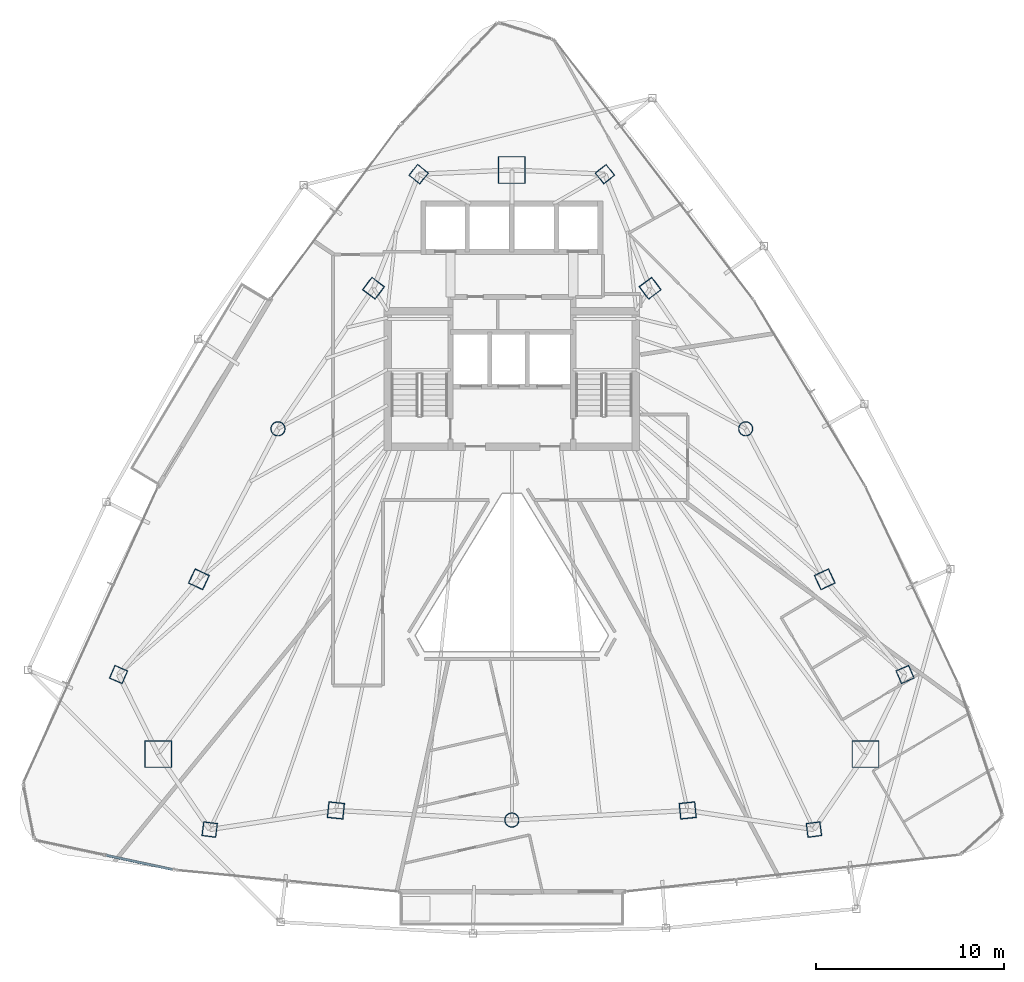
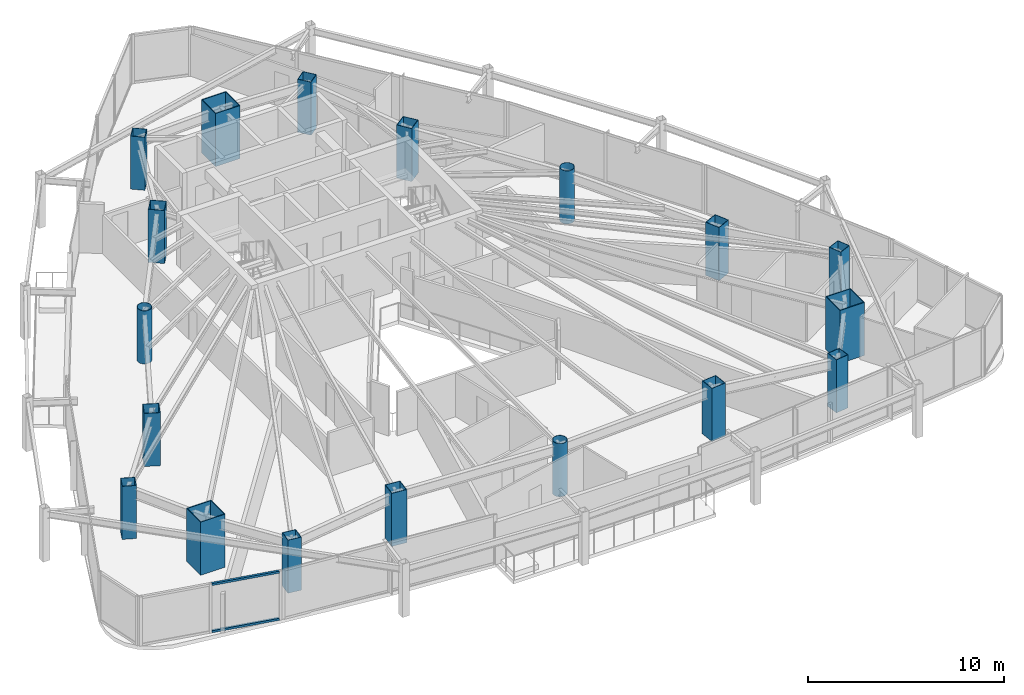
# One storey, part 1 of 33: 18 columns, 2 members, 1 element without a shape of its own.
"""IFC4 building model written with IfcOpenShell, lengths in metres."""

from ifc_helpers import new_model, si_unit, direction, frame, origin, origin_2d, place, context, subcontext, project, spatial, hollow_rectangle, hollow_circle, extrude, material, layer, layer_set, material_profile, profile_set, type_object, element, aggregate, save


model = new_model("IFC4")

# Units and contexts
model_context = context("Model", 3, precision=1e-05, world=origin(), true_north=direction((0.0, 1.0)))
body_context = subcontext(model_context, "Body", "Model", "MODEL_VIEW")
ifc_project = project(units=[si_unit("LENGTHUNIT", "METRE"), si_unit("AREAUNIT", "SQUARE_METRE"), si_unit("VOLUMEUNIT", "CUBIC_METRE"), si_unit("PLANEANGLEUNIT", "RADIAN"), si_unit("MASSUNIT", "GRAM", prefix="KILO")], contexts=[model_context])

# Site, building, storey
site_placement = place(None, origin())
site = spatial("IfcSite", under=ifc_project, at=site_placement, CompositionType="ELEMENT")
building_placement = place(site_placement, origin())
building = spatial("IfcBuilding", under=site, at=building_placement, Name="Orvanel Arch Residences", CompositionType="ELEMENT")
storey_placement = place(building_placement, frame((0.0, 0.0, 119.89990234375)))
storey = spatial("IfcBuildingStorey", under=building, at=storey_placement, Name="L33", CompositionType="ELEMENT", Elevation=119.89990234375)

# Columns
ifc_material_1 = material(Name="Structural steel AS/NZS 1163 C450L0 (Grade 450)", Category="steel")
ifc_material_profile_1 = material_profile(ifc_material_1, hollow_circle(Radius=0.381103515625, WallThickness=0.02197265625, at=origin_2d()), Name="CHS762x22")
ifc_profile_set_1 = profile_set([ifc_material_profile_1], Name="Structural steel AS/NZS 1163 C450L0 (Grade 450)")
column_type_1 = type_object("IfcColumnType", Name="CC-762", PredefinedType="COLUMN", material=ifc_profile_set_1)
for number, where, z_axis, x_axis, name in (
    (1, (20.569091796875, 27.64111328125, 0.0), (0.0, 0.0, 1.0), (1.0, 0.0, 0.0), "L33 High-Rise Tube Column 02"),
    (2, (33.0, 6.843994140625, 0.0), (0.0, 0.0, 1.0), (1.0, 0.0, 0.0), "L33 High-Rise Tube Column 05"),
    (3, (45.430908203125, 27.64111328125, 0.0), (0.0, 0.0, 1.0), (1.0, 0.0, 0.0), "L33 High-Rise Tube Column 08"),
):
    element("IfcColumn", number, at=place(storey_placement, frame(where, z_axis=z_axis, x_axis=x_axis)), inside=storey, type_object=column_type_1, Name=name, PredefinedType="COLUMN", context=body_context, shape_type="SweptSolid", body=[
        extrude(hollow_circle(Radius=0.381103515625, WallThickness=0.02197265625, at=origin_2d()), origin(), (0.0, 0.0, 1.0), 3.300048828125),
    ])
ifc_material_2 = material(Name="Structural steel AS/NZS 3678 Grade 450", Category="steel")
ifc_material_profile_2 = material_profile(ifc_material_2, hollow_rectangle(XDim=1.449951171875, YDim=1.449951171875, WallThickness=0.044921875, at=origin_2d()), Name="BOX1450x1450x45")
ifc_profile_set_2 = profile_set([ifc_material_profile_2], Name="Structural steel AS/NZS 3678 Grade 450")
column_type_2 = type_object("IfcColumnType", Name="MC-1450", PredefinedType="COLUMN", material=ifc_profile_set_2)
for number, where, z_axis, x_axis, name in (
    (4, (33.0, 41.39794921875, 0.0), (0.0, 0.0, 1.0), (1.0, 0.0, 0.0), "L33 Corner Mega-Column 1"),
    (5, (14.198974609375, 10.35107421875, 0.0), (0.0, 0.0, 1.0), (1.0, 0.0, 0.0), "L33 Corner Mega-Column 2"),
    (6, (51.801025390625, 10.35107421875, 0.0), (0.0, 0.0, 1.0), (1.0, 0.0, 0.0), "L33 Corner Mega-Column 3"),
):
    element("IfcColumn", number, at=place(storey_placement, frame(where, z_axis=z_axis, x_axis=x_axis)), inside=storey, type_object=column_type_2, Name=name, PredefinedType="COLUMN", context=body_context, shape_type="SweptSolid", body=[
        extrude(hollow_rectangle(XDim=1.449951171875, YDim=1.449951171875, WallThickness=0.044921875, at=origin_2d()), origin(), (0.0, 0.0, 1.0), 3.300048828125),
    ])
ifc_material_3 = material(Name="Structural steel AS/NZS 3678 Grade 350", Category="steel")
ifc_material_profile_3 = material_profile(ifc_material_3, hollow_rectangle(XDim=0.75, YDim=0.75, WallThickness=0.02490234375, at=origin_2d()), Name="BOX750x750x25")
ifc_profile_set_3 = profile_set([ifc_material_profile_3], Name="Structural steel AS/NZS 3678 Grade 350")
column_type_3 = type_object("IfcColumnType", Name="TC-750", PredefinedType="COLUMN", material=ifc_profile_set_3)
for number, where, z_axis, x_axis, name in (
    (7, (28.050048828125, 41.177978515625, 0.0), (0.0, 0.0, 1.0), (0.623879596709, 0.781520472419, 0.0), "L33 Mid-Rise Buttress Tube Column 01"),
    (8, (12.094970703125, 14.580078125, 0.0), (0.0, 0.0, 1.0), (0.397147890635, 0.917754625684, 0.0), "L33 Mid-Rise Buttress Tube Column 02"),
    (9, (16.94091796875, 6.339111328125, 0.0), (0.0, 0.0, 1.0), (-0.99189444259, 0.127064608601, 0.0), "L33 Mid-Rise Buttress Tube Column 03"),
    (10, (49.05908203125, 6.339111328125, 0.0), (0.0, 0.0, 1.0), (0.99189444259, 0.127064608601, 0.0), "L33 Mid-Rise Buttress Tube Column 04"),
    (11, (53.905029296875, 14.580078125, 0.0), (0.0, 0.0, 1.0), (-0.397147890635, 0.917754625684, 0.0), "L33 Mid-Rise Buttress Tube Column 05"),
    (12, (37.949951171875, 41.177978515625, 0.0), (0.0, 0.0, 1.0), (-0.623879596709, 0.781520472419, 0.0), "L33 Mid-Rise Buttress Tube Column 06"),
):
    element("IfcColumn", number, at=place(storey_placement, frame(where, z_axis=z_axis, x_axis=x_axis)), inside=storey, type_object=column_type_3, Name=name, PredefinedType="COLUMN", context=body_context, shape_type="SweptSolid", body=[
        extrude(hollow_rectangle(XDim=0.75, YDim=0.75, WallThickness=0.02490234375, at=origin_2d()), origin(), (0.0, 0.0, 1.0), 3.300048828125),
    ])
ifc_material_profile_4 = material_profile(ifc_material_3, hollow_rectangle(XDim=0.85009765625, YDim=0.85009765625, WallThickness=0.028076171875, at=origin_2d()), Name="BOX850x850x28")
ifc_profile_set_4 = profile_set([ifc_material_profile_4], Name="Structural steel AS/NZS 3678 Grade 350")
column_type_4 = type_object("IfcColumnType", Name="TC-850", PredefinedType="COLUMN", material=ifc_profile_set_4)
for number, where, z_axis, x_axis, name in (
    (13, (25.64794921875, 35.113037109375, 0.0), (0.0, 0.0, 1.0), (0.600420225326, 0.799684658487, 0.0), "L33 High-Rise Tube Column 01"),
    (14, (16.366943359375, 19.64208984375, 0.0), (0.0, 0.0, 1.0), (0.422618261741, 0.906307787037, 0.0), "L33 High-Rise Tube Column 03"),
    (15, (23.64892578125, 7.35498046875, 0.0), (0.0, 0.0, 1.0), (-0.994880708829, 0.101056297183, 0.0), "L33 High-Rise Tube Column 04"),
    (16, (42.35107421875, 7.35498046875, 0.0), (0.0, 0.0, 1.0), (0.994880708829, 0.101056297183, 0.0), "L33 High-Rise Tube Column 06"),
    (17, (49.633056640625, 19.64208984375, 0.0), (0.0, 0.0, 1.0), (-0.422618261741, 0.906307787037, 0.0), "L33 High-Rise Tube Column 07"),
    (18, (40.35205078125, 35.113037109375, 0.0), (0.0, 0.0, 1.0), (-0.600420225326, 0.799684658487, 0.0), "L33 High-Rise Tube Column 09"),
):
    element("IfcColumn", number, at=place(storey_placement, frame(where, z_axis=z_axis, x_axis=x_axis)), inside=storey, type_object=column_type_4, Name=name, PredefinedType="COLUMN", context=body_context, shape_type="SweptSolid", body=[
        extrude(hollow_rectangle(XDim=0.85009765625, YDim=0.85009765625, WallThickness=0.028076171875, at=origin_2d()), origin(), (0.0, 0.0, 1.0), 3.300048828125),
    ])

# Curtain wall, members
ifc_material_4 = material(Name="Bronze-anodised aluminium AA6063-T6", Category="aluminium")
ifc_layer = layer(ifc_material_4, 0.18994140625)
ifc_layer_set = layer_set([ifc_layer], Name="Bronze-anodised aluminium AA6063-T6")
curtain_wall_type = type_object("IfcCurtainWallType", Name="CW5-CRN-SYS", PredefinedType="NOTDEFINED", material=ifc_layer_set)
curtain_wall_placement = place(storey_placement, origin())
curtain_wall = element("IfcCurtainWall", 19, at=curtain_wall_placement, inside=storey, type_object=curtain_wall_type, Name="L33 CW5-CRN-SYS Unitised Curtain Wall", PredefinedType="NOTDEFINED")
ifc_material_profile_5 = material_profile(ifc_material_4, hollow_rectangle(XDim=0.1298828125, YDim=0.1298828125, WallThickness=0.00439453125, at=origin_2d()), Name="ALU130x130x4.5")
ifc_profile_set_5 = profile_set([ifc_material_profile_5], Name="Bronze-anodised aluminium AA6063-T6")
member_type = type_object("IfcMemberType", Name="TRN-130x130", PredefinedType="USERDEFINED", material=ifc_profile_set_5)
member_1_placement = place(storey_placement, frame((11.44384765625, 4.972412109375, 0.065185546875), z_axis=(0.97785508511, -0.209283139611, 0.0), x_axis=(0.209283139611, 0.97785508511, 0.0)))
member_1 = element("IfcMember", 20, at=member_1_placement, type_object=member_type, Name="CW-S5 transom 2.1", ObjectType="TRANSOM", PredefinedType="USERDEFINED", context=body_context, shape_type="SweptSolid", body=[
    extrude(hollow_rectangle(XDim=0.1298828125, YDim=0.1298828125, WallThickness=0.00439453125, at=origin_2d()), origin(), (0.0, 0.0, 1.0), 3.593017578125),
])
member_2_placement = place(storey_placement, frame((11.44384765625, 4.972412109375, 2.9951171875), z_axis=(0.97785508511, -0.209283139611, 0.0), x_axis=(0.209283139611, 0.97785508511, 0.0)))
member_2 = element("IfcMember", 21, at=member_2_placement, type_object=member_type, Name="CW-S5 transom 2.2", ObjectType="TRANSOM", PredefinedType="USERDEFINED", context=body_context, shape_type="SweptSolid", body=[
    extrude(hollow_rectangle(XDim=0.1298828125, YDim=0.1298828125, WallThickness=0.00439453125, at=origin_2d()), origin(), (0.0, 0.0, 1.0), 3.593017578125),
])
aggregate(curtain_wall, [member_1, member_2])

save(model, "model.ifc")
